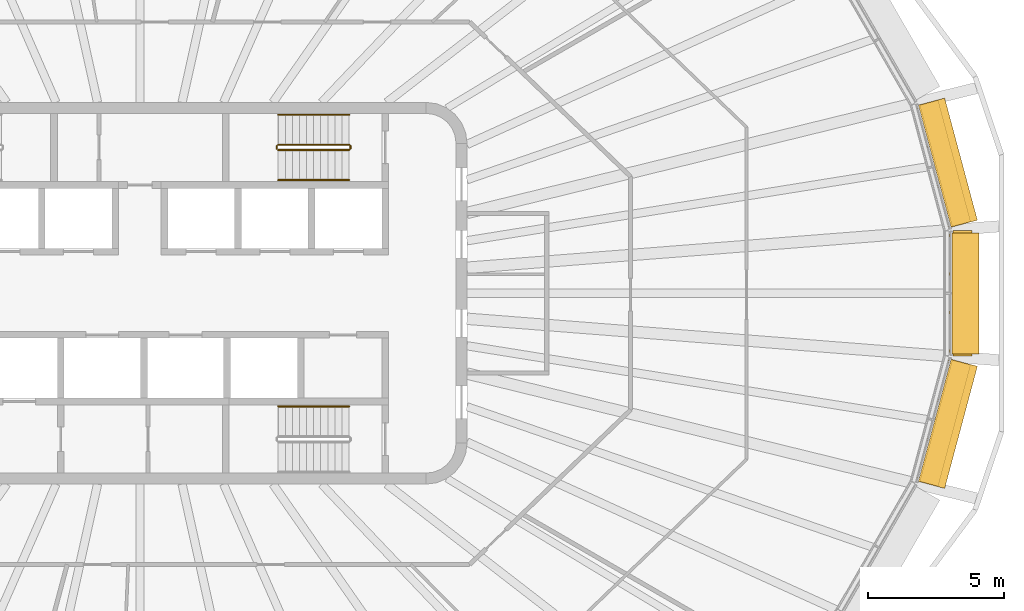
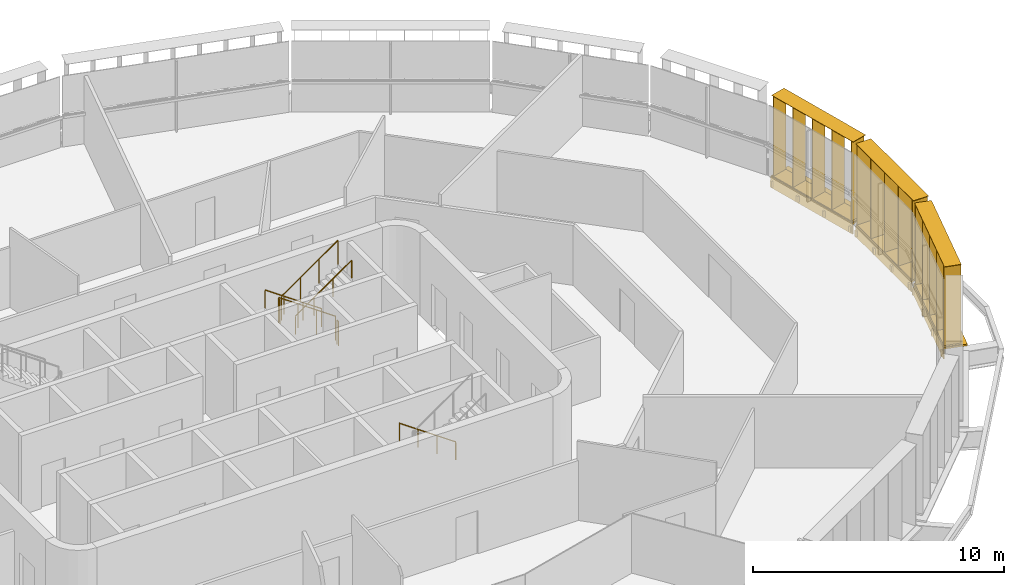
# One storey, part 19 of 20: 7 railings, 6 shading devices.
"""IFC4 building model written with IfcOpenShell, lengths in metres."""

from ifc_helpers import new_model, si_unit, direction, frame, origin, origin_2d, place, context, subcontext, project, spatial, rectangle, circle, extrude, material, type_object, element, save


model = new_model("IFC4")

# Units and contexts
model_context = context("Model", 3, precision=1e-05, world=origin(), true_north=direction((0.0, 1.0)))
body_context = subcontext(model_context, "Body", "Model", "MODEL_VIEW")
ifc_project = project(units=[si_unit("LENGTHUNIT", "METRE"), si_unit("AREAUNIT", "SQUARE_METRE"), si_unit("VOLUMEUNIT", "CUBIC_METRE"), si_unit("PLANEANGLEUNIT", "RADIAN"), si_unit("MASSUNIT", "GRAM", prefix="KILO")], contexts=[model_context])

# Site, building, storey
site_placement = place(None, origin())
site = spatial("IfcSite", under=ifc_project, at=site_placement, CompositionType="ELEMENT")
building_placement = place(site_placement, origin())
building = spatial("IfcBuilding", under=site, at=building_placement, Name="Sahrelin Media Tower", CompositionType="ELEMENT")
storey_placement = place(building_placement, frame((0.0, 0.0, 271.0)))
storey = spatial("IfcBuildingStorey", under=building, at=storey_placement, Name="L59", CompositionType="ELEMENT", Elevation=271.0)

# Shading devices
ifc_material_1 = material(Name="Champagne anodised aluminium 6063-T6", Category="aluminium")
shading_device_type_1 = type_object("IfcShadingDeviceType", Name="Fin cassette", PredefinedType="USERDEFINED", material=ifc_material_1)
placement_1 = place(storey_placement, frame((29.7578125, 0.0, 0.0), z_axis=(0.0, 0.0, 1.0), x_axis=(0.0, -1.0, 0.0)))
element("IfcShadingDevice", 1, at=placement_1, inside=storey, type_object=shading_device_type_1, Name="L59:FIN:L59-00", ObjectType="FIN", PredefinedType="USERDEFINED", context=body_context, shape_type="SweptSolid", body=[
    extrude(rectangle(XDim=4.60009765625, YDim=0.699951171875, at=origin_2d()), frame((0.0, 0.419921875, 0.0)), (0.0, 0.0, 1.0), 0.02001953125),
    extrude(rectangle(XDim=4.60009765625, YDim=0.699951171875, at=origin_2d()), frame((0.0, 0.419921875, 3.89990234375)), (0.0, 0.0, 1.0), 0.02001953125),
    extrude(rectangle(XDim=0.02001953125, YDim=0.699951171875, at=origin_2d()), frame((-2.199951171875, 0.419921875, 0.010009765625), z_axis=(0.0, 0.0, 1.0), x_axis=(1.0, 0.0, 0.0)), (0.0, 0.0, 1.0), 3.89990234375),
    extrude(rectangle(XDim=0.02001953125, YDim=0.699951171875, at=origin_2d()), frame((-1.10009765625, 0.419921875, 0.010009765625), z_axis=(0.0, 0.0, 1.0), x_axis=(1.0, 0.0, 0.0)), (0.0, 0.0, 1.0), 3.89990234375),
    extrude(rectangle(XDim=0.02001953125, YDim=0.699951171875, at=origin_2d()), frame((0.0, 0.419921875, 0.010009765625), z_axis=(0.0, 0.0, 1.0), x_axis=(1.0, 0.0, 0.0)), (0.0, 0.0, 1.0), 3.89990234375),
    extrude(rectangle(XDim=0.02001953125, YDim=0.699951171875, at=origin_2d()), frame((1.10009765625, 0.419921875, 0.010009765625), z_axis=(0.0, 0.0, 1.0), x_axis=(1.0, 0.0, 0.0)), (0.0, 0.0, 1.0), 3.89990234375),
    extrude(rectangle(XDim=0.02001953125, YDim=0.699951171875, at=origin_2d()), frame((2.199951171875, 0.419921875, 0.010009765625), z_axis=(0.0, 0.0, 1.0), x_axis=(1.0, 0.0, 0.0)), (0.0, 0.0, 1.0), 3.89990234375),
])
placement_2 = place(storey_placement, frame((29.1318359375, 4.65478515625, 0.0), z_axis=(0.0, 0.0, 1.0), x_axis=(0.258807731996, -0.965928857556, 0.0)))
element("IfcShadingDevice", 2, at=placement_2, inside=storey, type_object=shading_device_type_1, Name="L59:FIN:L59-01", ObjectType="FIN", PredefinedType="USERDEFINED", context=body_context, shape_type="SweptSolid", body=[
    extrude(rectangle(XDim=4.60009765625, YDim=0.699951171875, at=origin_2d()), frame((0.0, 0.419921875, 0.0)), (0.0, 0.0, 1.0), 0.02001953125),
    extrude(rectangle(XDim=4.60009765625, YDim=0.699951171875, at=origin_2d()), frame((0.0, 0.419921875, 3.89990234375)), (0.0, 0.0, 1.0), 0.02001953125),
    extrude(rectangle(XDim=0.02001953125, YDim=0.699951171875, at=origin_2d()), frame((-2.199951171875, 0.419921875, 0.010009765625), z_axis=(0.0, 0.0, 1.0), x_axis=(1.0, 0.0, 0.0)), (0.0, 0.0, 1.0), 3.89990234375),
    extrude(rectangle(XDim=0.02001953125, YDim=0.699951171875, at=origin_2d()), frame((-1.10009765625, 0.419921875, 0.010009765625), z_axis=(0.0, 0.0, 1.0), x_axis=(1.0, 0.0, 0.0)), (0.0, 0.0, 1.0), 3.89990234375),
    extrude(rectangle(XDim=0.02001953125, YDim=0.699951171875, at=origin_2d()), frame((0.0, 0.419921875, 0.010009765625), z_axis=(0.0, 0.0, 1.0), x_axis=(1.0, 0.0, 0.0)), (0.0, 0.0, 1.0), 3.89990234375),
    extrude(rectangle(XDim=0.02001953125, YDim=0.699951171875, at=origin_2d()), frame((1.10009765625, 0.419921875, 0.010009765625), z_axis=(0.0, 0.0, 1.0), x_axis=(1.0, 0.0, 0.0)), (0.0, 0.0, 1.0), 3.89990234375),
    extrude(rectangle(XDim=0.02001953125, YDim=0.699951171875, at=origin_2d()), frame((2.199951171875, 0.419921875, 0.010009765625), z_axis=(0.0, 0.0, 1.0), x_axis=(1.0, 0.0, 0.0)), (0.0, 0.0, 1.0), 3.89990234375),
])
placement_3 = place(storey_placement, frame((29.132080078125, -4.65478515625, 0.0), z_axis=(0.0, 0.0, 1.0), x_axis=(-0.258807731996, -0.965928857556, 0.0)))
element("IfcShadingDevice", 3, at=placement_3, inside=storey, type_object=shading_device_type_1, Name="L59:FIN:L59-23", ObjectType="FIN", PredefinedType="USERDEFINED", context=body_context, shape_type="SweptSolid", body=[
    extrude(rectangle(XDim=4.60009765625, YDim=0.699951171875, at=origin_2d()), frame((0.0, 0.419921875, 0.0)), (0.0, 0.0, 1.0), 0.02001953125),
    extrude(rectangle(XDim=4.60009765625, YDim=0.699951171875, at=origin_2d()), frame((0.0, 0.419921875, 3.89990234375)), (0.0, 0.0, 1.0), 0.02001953125),
    extrude(rectangle(XDim=0.02001953125, YDim=0.699951171875, at=origin_2d()), frame((-2.199951171875, 0.419921875, 0.010009765625), z_axis=(0.0, 0.0, 1.0), x_axis=(1.0, 0.0, 0.0)), (0.0, 0.0, 1.0), 3.89990234375),
    extrude(rectangle(XDim=0.02001953125, YDim=0.699951171875, at=origin_2d()), frame((-1.10009765625, 0.419921875, 0.010009765625), z_axis=(0.0, 0.0, 1.0), x_axis=(1.0, 0.0, 0.0)), (0.0, 0.0, 1.0), 3.89990234375),
    extrude(rectangle(XDim=0.02001953125, YDim=0.699951171875, at=origin_2d()), frame((0.0, 0.419921875, 0.010009765625), z_axis=(0.0, 0.0, 1.0), x_axis=(1.0, 0.0, 0.0)), (0.0, 0.0, 1.0), 3.89990234375),
    extrude(rectangle(XDim=0.02001953125, YDim=0.699951171875, at=origin_2d()), frame((1.10009765625, 0.419921875, 0.010009765625), z_axis=(0.0, 0.0, 1.0), x_axis=(1.0, 0.0, 0.0)), (0.0, 0.0, 1.0), 3.89990234375),
    extrude(rectangle(XDim=0.02001953125, YDim=0.699951171875, at=origin_2d()), frame((2.199951171875, 0.419921875, 0.010009765625), z_axis=(0.0, 0.0, 1.0), x_axis=(1.0, 0.0, 0.0)), (0.0, 0.0, 1.0), 3.89990234375),
])

# Railings
ifc_material_2 = material(Name="Steel S355", Category="steel")
railing_type_1 = type_object("IfcRailingType", Name="Stair guard 1200", PredefinedType="GUARDRAIL", material=ifc_material_2)
railing_1_placement = place(storey_placement, frame((7.675048828125, 5.449951171875, 0.181884765625)))
element("IfcRailing", 4, at=railing_1_placement, inside=storey, type_object=railing_type_1, Name="L59 ST3 stair guard 1", PredefinedType="GUARDRAIL", context=body_context, shape_type="SweptSolid", body=[
    extrude(circle(Radius=0.02392578125, at=origin_2d()), frame((0.0, 0.0, 1.17578125), z_axis=(-0.819521025635, 0.0, 0.573049115296), x_axis=(0.0, -1.0, 0.0)), (0.0, 0.0, 1.0), 3.172607421875),
    extrude(circle(Radius=0.02099609375, at=origin_2d()), origin(), (0.0, 0.0, 1.0), 1.15185546875),
    extrude(circle(Radius=0.02099609375, at=origin_2d()), frame((-0.86669921875, 0.0, 0.60595703125)), (0.0, 0.0, 1.0), 1.15185546875),
    extrude(circle(Radius=0.02099609375, at=origin_2d()), frame((-1.7333984375, 0.0, 1.212158203125)), (0.0, 0.0, 1.0), 1.15185546875),
    extrude(circle(Radius=0.02099609375, at=origin_2d()), frame((-2.60009765625, 0.0, 1.818115234375)), (0.0, 0.0, 1.0), 1.15185546875),
])
railing_2_placement = place(storey_placement, frame((5.02490234375, 5.39990234375, 2.0)))
element("IfcRailing", 5, at=railing_2_placement, inside=storey, type_object=railing_type_1, Name="L59 ST3 stair guard 2", PredefinedType="GUARDRAIL", context=body_context, shape_type="SweptSolid", body=[
    extrude(circle(Radius=0.02392578125, at=origin_2d()), frame((0.0, 0.0, 1.17578125), z_axis=(0.0, -1.0, 0.0), x_axis=(1.0, 0.0, 0.0)), (0.0, 0.0, 1.0), 0.099853515625),
    extrude(circle(Radius=0.02099609375, at=origin_2d()), origin(), (0.0, 0.0, 1.0), 1.15185546875),
    extrude(circle(Radius=0.02099609375, at=origin_2d()), frame((0.0, -0.099853515625, 0.0)), (0.0, 0.0, 1.0), 1.15185546875),
])
railing_3_placement = place(storey_placement, frame((5.074951171875, 5.25, 2.181884765625)))
element("IfcRailing", 6, at=railing_3_placement, inside=storey, type_object=railing_type_1, Name="L59 ST3 stair guard 3", PredefinedType="GUARDRAIL", context=body_context, shape_type="SweptSolid", body=[
    extrude(circle(Radius=0.02392578125, at=origin_2d()), frame((0.0, 0.0, 1.17578125), z_axis=(0.819521025635, 0.0, 0.573049115296), x_axis=(0.0, 1.0, 0.0)), (0.0, 0.0, 1.0), 3.172607421875),
    extrude(circle(Radius=0.02099609375, at=origin_2d()), origin(), (0.0, 0.0, 1.0), 1.15185546875),
    extrude(circle(Radius=0.02099609375, at=origin_2d()), frame((0.86669921875, 0.0, 0.60595703125)), (0.0, 0.0, 1.0), 1.15185546875),
    extrude(circle(Radius=0.02099609375, at=origin_2d()), frame((1.7333984375, 0.0, 1.212158203125)), (0.0, 0.0, 1.0), 1.15185546875),
    extrude(circle(Radius=0.02099609375, at=origin_2d()), frame((2.60009765625, 0.0, 1.818115234375)), (0.0, 0.0, 1.0), 1.15185546875),
])
railing_4_placement = place(storey_placement, frame((7.72509765625, 5.39990234375, 0.0)))
element("IfcRailing", 7, at=railing_4_placement, inside=storey, type_object=railing_type_1, Name="L59 ST3 stair guard 4", PredefinedType="GUARDRAIL", context=body_context, shape_type="SweptSolid", body=[
    extrude(circle(Radius=0.02392578125, at=origin_2d()), frame((0.0, 0.0, 1.17578125), z_axis=(0.0, -1.0, 0.0), x_axis=(1.0, 0.0, 0.0)), (0.0, 0.0, 1.0), 0.099853515625),
    extrude(circle(Radius=0.02099609375, at=origin_2d()), origin(), (0.0, 0.0, 1.0), 1.15185546875),
    extrude(circle(Radius=0.02099609375, at=origin_2d()), frame((0.0, -0.099853515625, 0.0)), (0.0, 0.0, 1.0), 1.15185546875),
])
railing_type_2 = type_object("IfcRailingType", Name="Stair handrail 900", PredefinedType="HANDRAIL", material=ifc_material_2)
railing_5_placement = place(storey_placement, frame((7.675048828125, 6.550048828125, 0.181884765625)))
element("IfcRailing", 8, at=railing_5_placement, inside=storey, type_object=railing_type_2, Name="L59 ST3 stair handrail 1", PredefinedType="HANDRAIL", context=body_context, shape_type="SweptSolid", body=[
    extrude(circle(Radius=0.02392578125, at=origin_2d()), frame((0.0, 0.0, 0.8759765625), z_axis=(-0.819521025635, 0.0, 0.573049115296), x_axis=(0.0, -1.0, 0.0)), (0.0, 0.0, 1.0), 3.172607421875),
    extrude(circle(Radius=0.02099609375, at=origin_2d()), origin(), (0.0, 0.0, 1.0), 0.851806640625),
    extrude(circle(Radius=0.02099609375, at=origin_2d()), frame((-0.86669921875, 0.0, 0.60595703125)), (0.0, 0.0, 1.0), 0.851806640625),
    extrude(circle(Radius=0.02099609375, at=origin_2d()), frame((-1.7333984375, 0.0, 1.212158203125)), (0.0, 0.0, 1.0), 0.851806640625),
    extrude(circle(Radius=0.02099609375, at=origin_2d()), frame((-2.60009765625, 0.0, 1.818115234375)), (0.0, 0.0, 1.0), 0.851806640625),
])
railing_6_placement = place(storey_placement, frame((5.074951171875, 4.14990234375, 2.181884765625)))
element("IfcRailing", 9, at=railing_6_placement, inside=storey, type_object=railing_type_2, Name="L59 ST3 stair handrail 2", PredefinedType="HANDRAIL", context=body_context, shape_type="SweptSolid", body=[
    extrude(circle(Radius=0.02392578125, at=origin_2d()), frame((0.0, 0.0, 0.8759765625), z_axis=(0.819521025635, 0.0, 0.573049115296), x_axis=(0.0, 1.0, 0.0)), (0.0, 0.0, 1.0), 3.172607421875),
    extrude(circle(Radius=0.02099609375, at=origin_2d()), origin(), (0.0, 0.0, 1.0), 0.851806640625),
    extrude(circle(Radius=0.02099609375, at=origin_2d()), frame((0.86669921875, 0.0, 0.60595703125)), (0.0, 0.0, 1.0), 0.851806640625),
    extrude(circle(Radius=0.02099609375, at=origin_2d()), frame((1.7333984375, 0.0, 1.212158203125)), (0.0, 0.0, 1.0), 0.851806640625),
    extrude(circle(Radius=0.02099609375, at=origin_2d()), frame((2.60009765625, 0.0, 1.818115234375)), (0.0, 0.0, 1.0), 0.851806640625),
])
railing_7_placement = place(storey_placement, frame((7.675048828125, -4.14990234375, 0.181884765625)))
element("IfcRailing", 10, at=railing_7_placement, inside=storey, type_object=railing_type_2, Name="L59 ST2 stair handrail 1", PredefinedType="HANDRAIL", context=body_context, shape_type="SweptSolid", body=[
    extrude(circle(Radius=0.02392578125, at=origin_2d()), frame((0.0, 0.0, 0.8759765625), z_axis=(-0.819521025635, 0.0, 0.573049115296), x_axis=(0.0, -1.0, 0.0)), (0.0, 0.0, 1.0), 3.172607421875),
    extrude(circle(Radius=0.02099609375, at=origin_2d()), origin(), (0.0, 0.0, 1.0), 0.851806640625),
    extrude(circle(Radius=0.02099609375, at=origin_2d()), frame((-0.86669921875, 0.0, 0.60595703125)), (0.0, 0.0, 1.0), 0.851806640625),
    extrude(circle(Radius=0.02099609375, at=origin_2d()), frame((-1.7333984375, 0.0, 1.212158203125)), (0.0, 0.0, 1.0), 0.851806640625),
    extrude(circle(Radius=0.02099609375, at=origin_2d()), frame((-2.60009765625, 0.0, 1.818115234375)), (0.0, 0.0, 1.0), 0.851806640625),
])

# Shading devices
shading_device_type_2 = type_object("IfcShadingDeviceType", Name="Sunshade band", PredefinedType="USERDEFINED", material=ifc_material_1)
element("IfcShadingDevice", 11, at=placement_1, inside=storey, type_object=shading_device_type_2, Name="L59:SUN:L59-00", ObjectType="SUNSHADE", PredefinedType="USERDEFINED", context=body_context, shape_type="SweptSolid", body=[
    extrude(rectangle(XDim=4.437255859375, YDim=0.050048828125, at=origin_2d()), frame((0.0, 0.044921875, -0.55126953125)), (0.0, 0.0, 1.0), 0.471435546875),
    extrude(rectangle(XDim=4.437255859375, YDim=1.0, at=origin_2d()), frame((0.0, 0.52001953125, -0.080078125)), (0.0, 0.0, 1.0), 0.080078125),
    extrude(rectangle(XDim=0.10009765625, YDim=0.074951171875, at=origin_2d()), frame((-2.11865234375, -0.017578125, -0.47021484375)), (0.0, 0.0, 1.0), 0.300048828125),
    extrude(rectangle(XDim=0.10009765625, YDim=0.074951171875, at=origin_2d()), frame((-0.706298828125, -0.017578125, -0.47021484375)), (0.0, 0.0, 1.0), 0.300048828125),
    extrude(rectangle(XDim=0.10009765625, YDim=0.074951171875, at=origin_2d()), frame((0.706298828125, -0.017578125, -0.47021484375)), (0.0, 0.0, 1.0), 0.300048828125),
    extrude(rectangle(XDim=0.10009765625, YDim=0.074951171875, at=origin_2d()), frame((2.11865234375, -0.017578125, -0.47021484375)), (0.0, 0.0, 1.0), 0.300048828125),
])
element("IfcShadingDevice", 12, at=placement_2, inside=storey, type_object=shading_device_type_2, Name="L59:SUN:L59-01", ObjectType="SUNSHADE", PredefinedType="USERDEFINED", context=body_context, shape_type="SweptSolid", body=[
    extrude(rectangle(XDim=4.636962890625, YDim=0.050048828125, at=origin_2d()), frame((0.0, 0.044921875, -0.55126953125)), (0.0, 0.0, 1.0), 0.471435546875),
    extrude(rectangle(XDim=4.636962890625, YDim=1.0, at=origin_2d()), frame((0.0, 0.52001953125, -0.080078125)), (0.0, 0.0, 1.0), 0.080078125),
    extrude(rectangle(XDim=0.10009765625, YDim=0.074951171875, at=origin_2d()), frame((-2.218505859375, -0.017578125, -0.47021484375)), (0.0, 0.0, 1.0), 0.300048828125),
    extrude(rectangle(XDim=0.10009765625, YDim=0.074951171875, at=origin_2d()), frame((-0.739501953125, -0.017578125, -0.47021484375)), (0.0, 0.0, 1.0), 0.300048828125),
    extrude(rectangle(XDim=0.10009765625, YDim=0.074951171875, at=origin_2d()), frame((0.739501953125, -0.017578125, -0.47021484375)), (0.0, 0.0, 1.0), 0.300048828125),
    extrude(rectangle(XDim=0.10009765625, YDim=0.074951171875, at=origin_2d()), frame((2.218505859375, -0.017578125, -0.47021484375)), (0.0, 0.0, 1.0), 0.300048828125),
])
element("IfcShadingDevice", 13, at=placement_3, inside=storey, type_object=shading_device_type_2, Name="L59:SUN:L59-23", ObjectType="SUNSHADE", PredefinedType="USERDEFINED", context=body_context, shape_type="SweptSolid", body=[
    extrude(rectangle(XDim=4.636962890625, YDim=0.050048828125, at=origin_2d()), frame((0.0, 0.044921875, -0.55126953125)), (0.0, 0.0, 1.0), 0.471435546875),
    extrude(rectangle(XDim=4.636962890625, YDim=1.0, at=origin_2d()), frame((0.0, 0.52001953125, -0.080078125)), (0.0, 0.0, 1.0), 0.080078125),
    extrude(rectangle(XDim=0.10009765625, YDim=0.074951171875, at=origin_2d()), frame((-2.218505859375, -0.017578125, -0.47021484375)), (0.0, 0.0, 1.0), 0.300048828125),
    extrude(rectangle(XDim=0.10009765625, YDim=0.074951171875, at=origin_2d()), frame((-0.739501953125, -0.017578125, -0.47021484375)), (0.0, 0.0, 1.0), 0.300048828125),
    extrude(rectangle(XDim=0.10009765625, YDim=0.074951171875, at=origin_2d()), frame((0.739501953125, -0.017578125, -0.47021484375)), (0.0, 0.0, 1.0), 0.300048828125),
    extrude(rectangle(XDim=0.10009765625, YDim=0.074951171875, at=origin_2d()), frame((2.218505859375, -0.017578125, -0.47021484375)), (0.0, 0.0, 1.0), 0.300048828125),
])

save(model, "model.ifc")
